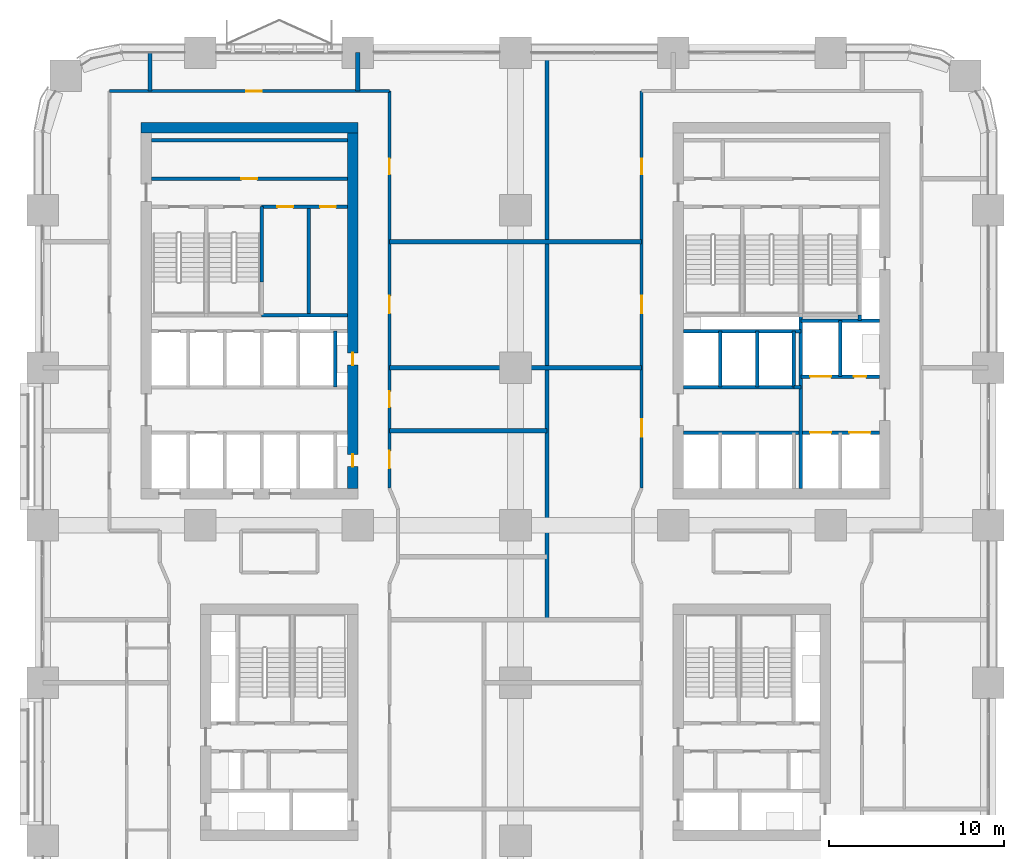
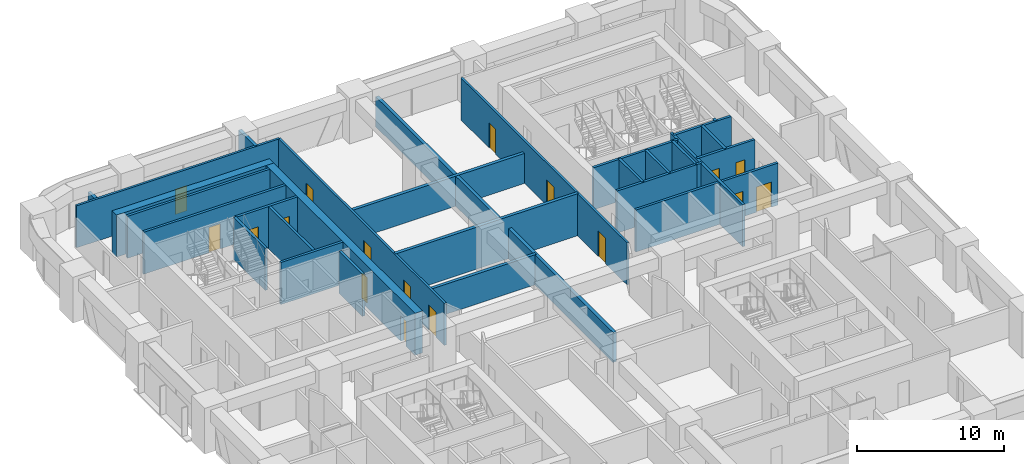
# One storey, part 18 of 23: 30 walls, 17 doors, 17 openings.
"""IFC4 building model written with IfcOpenShell, lengths in metres."""

from ifc_helpers import new_model, si_unit, direction, frame, frame_2d, origin, place, context, subcontext, project, spatial, rectangle, extrude, material, layer, layer_set, type_object, element, fill, save


model = new_model("IFC4")

# Units and contexts
model_context = context("Model", 3, precision=1e-05, world=origin(), true_north=direction((0.0, 1.0)))
body_context = subcontext(model_context, "Body", "Model", "MODEL_VIEW")
ifc_project = project(units=[si_unit("LENGTHUNIT", "METRE"), si_unit("AREAUNIT", "SQUARE_METRE"), si_unit("VOLUMEUNIT", "CUBIC_METRE"), si_unit("PLANEANGLEUNIT", "RADIAN"), si_unit("MASSUNIT", "GRAM", prefix="KILO")], contexts=[model_context])

# Site, building, storey
site_placement = place(None, origin())
site = spatial("IfcSite", under=ifc_project, at=site_placement, CompositionType="ELEMENT")
building_placement = place(site_placement, origin())
building = spatial("IfcBuilding", under=site, at=building_placement, Name="Tessera Arch", CompositionType="ELEMENT")
storey_placement = place(building_placement, frame((0.0, 0.0, 57.60009765625)))
storey = spatial("IfcBuildingStorey", under=building, at=storey_placement, Name="L12", CompositionType="ELEMENT", Elevation=57.60009765625)

# Walls
ifc_material_1 = material(Name="Gypsum board on steel stud", Category="steel")
ifc_layer_1 = layer(ifc_material_1, 0.125)
ifc_layer_set_1 = layer_set([ifc_layer_1], Name="Core partition 125 EI 60")
wall_type_1 = type_object("IfcWallType", Name="Core partition 125 EI 60", PredefinedType="PARTITIONING", material=ifc_layer_set_1)
wall_1_placement = place(storey_placement, frame((42.89990234375, 34.89990234375, 0.0), z_axis=(0.0, 0.0, 1.0), x_axis=(1.0, 0.0, 0.0)))
element("IfcWall", 1, at=wall_1_placement, inside=storey, type_object=wall_type_1, Name="L12 C1 partition wall 19", PredefinedType="PARTITIONING", context=body_context, shape_type="SweptSolid", body=[
    extrude(rectangle(XDim=0.400146484375, YDim=0.199951171875, at=frame_2d((0.2001953125, 0.0))), origin(), (0.0, 0.0, 1.0), 3.5),
])
wall_2_placement = place(storey_placement, frame((15.195068359375, 39.0, 0.0), z_axis=(0.0, 0.0, 1.0), x_axis=(0.0, 1.0, 0.0)))
element("IfcWall", 2, at=wall_2_placement, inside=storey, type_object=wall_type_1, Name="L12 C2 partition wall 13", PredefinedType="PARTITIONING", context=body_context, shape_type="SweptSolid", body=[
    extrude(rectangle(XDim=6.199951171875, YDim=0.199951171875, at=frame_2d((3.10009765625, 0.0))), origin(), (0.0, 0.0, 1.0), 3.5),
])

# Wall, openings, doors
wall_3_placement = place(storey_placement, frame((12.5, 45.199951171875, 0.0), z_axis=(0.0, 0.0, 1.0), x_axis=(1.0, 0.0, 0.0)))
wall_3 = element("IfcWall", 3, at=wall_3_placement, inside=storey, type_object=wall_type_1, Name="L12 C2 partition wall 23", PredefinedType="PARTITIONING", context=body_context, shape_type="SweptSolid", body=[
    extrude(rectangle(XDim=4.89990234375, YDim=0.199951171875, at=frame_2d((2.449951171875, 0.0))), origin(), (0.0, 0.0, 1.0), 3.5),
])
opening_1_placement = place(wall_3_placement, frame((0.8974609375, 0.0, 0.0)))
opening_1 = element("IfcOpeningElement", 4, at=opening_1_placement, cuts=wall_3, Name="Opening L12-C29", PredefinedType="OPENING", context=body_context, shape_type="SweptSolid", body=[
    extrude(rectangle(XDim=0.89990234375, YDim=2.10009765625, at=frame_2d((0.449951171875, 1.050048828125))), frame((0.0, 0.10986328125, 0.0), z_axis=(0.0, -1.0, 0.0), x_axis=(1.0, 0.0, 0.0)), (0.0, 0.0, 1.0), 0.219970703125),
])
opening_2_placement = place(wall_3_placement, frame((3.347412109375, 0.0, 0.0)))
opening_2 = element("IfcOpeningElement", 5, at=opening_2_placement, cuts=wall_3, Name="Opening L12-C30", PredefinedType="OPENING", context=body_context, shape_type="SweptSolid", body=[
    extrude(rectangle(XDim=0.89990234375, YDim=2.10009765625, at=frame_2d((0.449951171875, 1.050048828125))), frame((0.0, 0.10986328125, 0.0), z_axis=(0.0, -1.0, 0.0), x_axis=(1.0, 0.0, 0.0)), (0.0, 0.0, 1.0), 0.219970703125),
])
ifc_material_2 = material(Name="Steel door leaf", Category="steel")
door_type_1 = type_object("IfcDoorType", Name="Store door FD30S 900 x 2100", OperationType="SINGLE_SWING_LEFT", PredefinedType="DOOR", material=ifc_material_2)
door_1_placement = place(opening_1_placement, origin())
door_1 = element("IfcDoor", 6, at=door_1_placement, inside=storey, type_object=door_type_1, Name="L12 C2 door 16 C29 type D09", OperationType="SINGLE_SWING_LEFT", OverallHeight=2.10009765625, OverallWidth=0.89990234375, PredefinedType="DOOR", context=body_context, shape_type="SweptSolid", body=[
    extrude(rectangle(XDim=0.89990234375, YDim=2.10009765625, at=frame_2d((0.449951171875, 1.050048828125))), frame((0.0, 0.02490234375, 0.0), z_axis=(0.0, -1.0, 0.0), x_axis=(1.0, 0.0, 0.0)), (0.0, 0.0, 1.0), 0.050048828125),
])
fill(opening_1, door_1)
door_2_placement = place(opening_2_placement, origin())
door_2 = element("IfcDoor", 7, at=door_2_placement, inside=storey, type_object=door_type_1, Name="L12 C2 door 17 C30 type D09", OperationType="SINGLE_SWING_RIGHT", OverallHeight=2.10009765625, OverallWidth=0.89990234375, PredefinedType="DOOR", context=body_context, shape_type="SweptSolid", body=[
    extrude(rectangle(XDim=0.89990234375, YDim=2.10009765625, at=frame_2d((0.449951171875, 1.050048828125))), frame((0.0, 0.02490234375, 0.0), z_axis=(0.0, -1.0, 0.0), x_axis=(1.0, 0.0, 0.0)), (0.0, 0.0, 1.0), 0.050048828125),
])
fill(opening_2, door_2)

# Wall, opening, door
wall_4_placement = place(storey_placement, frame((6.199951171875, 46.800048828125, 0.0), z_axis=(0.0, 0.0, 1.0), x_axis=(1.0, 0.0, 0.0)))
wall_4 = element("IfcWall", 8, at=wall_4_placement, inside=storey, type_object=wall_type_1, Name="L12 C2 partition wall 25", PredefinedType="PARTITIONING", context=body_context, shape_type="SweptSolid", body=[
    extrude(rectangle(XDim=11.199951171875, YDim=0.199951171875, at=frame_2d((5.60009765625, 0.0))), origin(), (0.0, 0.0, 1.0), 3.5),
])
opening_3_placement = place(wall_4_placement, frame((5.14990234375, 0.0, 0.0)))
opening_3 = element("IfcOpeningElement", 9, at=opening_3_placement, cuts=wall_4, Name="Opening L12-C28", PredefinedType="OPENING", context=body_context, shape_type="SweptSolid", body=[
    extrude(rectangle(XDim=0.89990234375, YDim=2.10009765625, at=frame_2d((0.449951171875, 1.050048828125))), frame((0.0, 0.10986328125, 0.0), z_axis=(0.0, -1.0, 0.0), x_axis=(1.0, 0.0, 0.0)), (0.0, 0.0, 1.0), 0.219970703125),
])
door_3_placement = place(opening_3_placement, origin())
door_3 = element("IfcDoor", 10, at=door_3_placement, inside=storey, type_object=door_type_1, Name="L12 C2 door 15 C28 type D09", OperationType="SINGLE_SWING_RIGHT", OverallHeight=2.10009765625, OverallWidth=0.89990234375, PredefinedType="DOOR", context=body_context, shape_type="SweptSolid", body=[
    extrude(rectangle(XDim=0.89990234375, YDim=2.10009765625, at=frame_2d((0.449951171875, 1.050048828125))), frame((0.0, 0.02490234375, 0.0), z_axis=(0.0, -1.0, 0.0), x_axis=(1.0, 0.0, 0.0)), (0.0, 0.0, 1.0), 0.050048828125),
])
fill(opening_3, door_3)

# Walls
wall_5_placement = place(storey_placement, frame((6.199951171875, 49.0, 0.0), z_axis=(0.0, 0.0, 1.0), x_axis=(1.0, 0.0, 0.0)))
element("IfcWall", 11, at=wall_5_placement, inside=storey, type_object=wall_type_1, Name="L12 C2 partition wall 26", PredefinedType="PARTITIONING", context=body_context, shape_type="SweptSolid", body=[
    extrude(rectangle(XDim=11.199951171875, YDim=0.199951171875, at=frame_2d((5.60009765625, 0.0))), origin(), (0.0, 0.0, 1.0), 3.5),
])
ifc_material_3 = material(Name="Concrete C70/85", Category="concrete")
ifc_layer_2 = layer(ifc_material_3, 0.60009765625)
ifc_layer_set_2 = layer_set([ifc_layer_2], Name="Core shell wall 600 C70-85")
wall_type_2 = type_object("IfcWallType", Name="Core shell wall 600 C70-85", PredefinedType="SHEAR", material=ifc_layer_set_2)
wall_6_placement = place(storey_placement, frame((5.60009765625, 49.699951171875, 0.0), z_axis=(0.0, 0.0, 1.0), x_axis=(1.0, 0.0, 0.0)))
element("IfcWall", 12, at=wall_6_placement, inside=storey, type_object=wall_type_2, Name="L12 C2 core wall N", PredefinedType="SHEAR", context=body_context, shape_type="SweptSolid", body=[
    extrude(rectangle(XDim=12.39990234375, YDim=0.60009765625, at=frame_2d((6.199951171875, 0.0))), origin(), (0.0, 0.0, 1.0), 3.5),
])

# Wall, openings, doors
wall_7_placement = place(storey_placement, frame((17.699951171875, 29.10009765625, 0.0), z_axis=(0.0, 0.0, 1.0), x_axis=(0.0, 1.0, 0.0)))
wall_7 = element("IfcWall", 13, at=wall_7_placement, inside=storey, type_object=wall_type_2, Name="L12 C2 core wall E", PredefinedType="SHEAR", context=body_context, shape_type="SweptSolid", body=[
    extrude(rectangle(XDim=20.2998046875, YDim=0.60009765625, at=frame_2d((10.14990234375, 0.0))), origin(), (0.0, 0.0, 1.0), 3.5),
])
opening_4_placement = place(wall_7_placement, frame((1.25, 0.0, 0.0)))
opening_4 = element("IfcOpeningElement", 14, at=opening_4_placement, cuts=wall_7, Name="Opening L12-C22", PredefinedType="OPENING", context=body_context, shape_type="SweptSolid", body=[
    extrude(rectangle(XDim=0.699951171875, YDim=2.10009765625, at=frame_2d((0.35009765625, 1.050048828125))), frame((0.0, 0.31005859375, 0.0), z_axis=(0.0, -1.0, 0.0), x_axis=(1.0, 0.0, 0.0)), (0.0, 0.0, 1.0), 0.6201171875),
])
opening_5_placement = place(wall_7_placement, frame((7.050048828125, 0.0, 0.0)))
opening_5 = element("IfcOpeningElement", 15, at=opening_5_placement, cuts=wall_7, Name="Opening L12-C23", PredefinedType="OPENING", context=body_context, shape_type="SweptSolid", body=[
    extrude(rectangle(XDim=0.699951171875, YDim=2.10009765625, at=frame_2d((0.35009765625, 1.050048828125))), frame((0.0, 0.31005859375, 0.0), z_axis=(0.0, -1.0, 0.0), x_axis=(1.0, 0.0, 0.0)), (0.0, 0.0, 1.0), 0.6201171875),
])
ifc_material_4 = material(Name="Steel door leaf", Category="steel")
door_type_2 = type_object("IfcDoorType", Name="Service shaft door FD60 700 x 2100", OperationType="SINGLE_SWING_LEFT", PredefinedType="DOOR", material=ifc_material_4)
door_4_placement = place(opening_4_placement, origin())
door_4 = element("IfcDoor", 16, at=door_4_placement, inside=storey, type_object=door_type_2, Name="L12 C2 door 9 C22 type D07", OperationType="SINGLE_SWING_LEFT", OverallHeight=2.10009765625, OverallWidth=0.699951171875, PredefinedType="DOOR", context=body_context, shape_type="SweptSolid", body=[
    extrude(rectangle(XDim=0.699951171875, YDim=2.10009765625, at=frame_2d((0.35009765625, 1.050048828125))), frame((0.0, 0.02490234375, 0.0), z_axis=(0.0, -1.0, 0.0), x_axis=(1.0, 0.0, 0.0)), (0.0, 0.0, 1.0), 0.050048828125),
])
fill(opening_4, door_4)
door_5_placement = place(opening_5_placement, origin())
door_5 = element("IfcDoor", 17, at=door_5_placement, inside=storey, type_object=door_type_2, Name="L12 C2 door 10 C23 type D07", OperationType="SINGLE_SWING_LEFT", OverallHeight=2.10009765625, OverallWidth=0.699951171875, PredefinedType="DOOR", context=body_context, shape_type="SweptSolid", body=[
    extrude(rectangle(XDim=0.699951171875, YDim=2.10009765625, at=frame_2d((0.35009765625, 1.050048828125))), frame((0.0, 0.02490234375, 0.0), z_axis=(0.0, -1.0, 0.0), x_axis=(1.0, 0.0, 0.0)), (0.0, 0.0, 1.0), 0.050048828125),
])
fill(opening_5, door_5)

# Wall, opening, door
ifc_material_5 = material(Name="Gypsum board on deep steel stud with mineral wool", Category="steel")
ifc_layer_3 = layer(ifc_material_5, 0.175048828125)
ifc_layer_set_3 = layer_set([ifc_layer_3], Name="Corridor wall 175 EI 60")
wall_type_3 = type_object("IfcWallType", Name="Corridor wall 175 EI 60", PredefinedType="PARTITIONING", material=ifc_layer_set_3)
wall_8_placement = place(storey_placement, frame((3.800048828125, 51.800048828125, 0.0), z_axis=(0.0, 0.0, 1.0), x_axis=(1.0, 0.0, 0.0)))
wall_8 = element("IfcWall", 18, at=wall_8_placement, inside=storey, type_object=wall_type_3, Name="L12 partition 9", PredefinedType="PARTITIONING", context=body_context, shape_type="SweptSolid", body=[
    extrude(rectangle(XDim=16.0, YDim=0.175048828125, at=frame_2d((8.0, 0.0))), origin(), (0.0, 0.0, 1.0), 3.5),
])
opening_6_placement = place(wall_8_placement, frame((7.811279296875, 0.0, 0.0)))
opening_6 = element("IfcOpeningElement", 19, at=opening_6_placement, cuts=wall_8, Name="Opening L12-D045", PredefinedType="OPENING", context=body_context, shape_type="SweptSolid", body=[
    extrude(rectangle(XDim=0.89990234375, YDim=2.10009765625, at=frame_2d((0.449951171875, 1.050048828125))), frame((0.0, 0.097412109375, 0.0), z_axis=(0.0, -1.0, 0.0), x_axis=(1.0, 0.0, 0.0)), (0.0, 0.0, 1.0), 0.195068359375),
])
ifc_material_6 = material(Name="Timber door leaf", Category="wood")
door_type_3 = type_object("IfcDoorType", Name="Room door 900 x 2100", OperationType="SINGLE_SWING_LEFT", PredefinedType="DOOR", material=ifc_material_6)
door_6_placement = place(opening_6_placement, origin())
door_6 = element("IfcDoor", 20, at=door_6_placement, inside=storey, type_object=door_type_3, Name="L12 door D045 type D01", OperationType="SINGLE_SWING_RIGHT", OverallHeight=2.10009765625, OverallWidth=0.89990234375, PredefinedType="DOOR", context=body_context, shape_type="SweptSolid", body=[
    extrude(rectangle(XDim=0.89990234375, YDim=2.10009765625, at=frame_2d((0.449951171875, 1.050048828125))), frame((0.0, 0.02490234375, 0.0), z_axis=(0.0, -1.0, 0.0), x_axis=(1.0, 0.0, 0.0)), (0.0, 0.0, 1.0), 0.050048828125),
])
fill(opening_6, door_6)

# Wall, openings, doors
wall_9_placement = place(storey_placement, frame((19.800048828125, 29.1201171875, 0.0), z_axis=(0.0, 0.0, 1.0), x_axis=(0.0, 1.0, 0.0)))
wall_9 = element("IfcWall", 21, at=wall_9_placement, inside=storey, type_object=wall_type_3, Name="L12 partition 17", PredefinedType="PARTITIONING", context=body_context, shape_type="SweptSolid", body=[
    extrude(rectangle(XDim=22.679931640625, YDim=0.175048828125, at=frame_2d((11.33984375, 0.0))), origin(), (0.0, 0.0, 1.0), 3.5),
])
opening_7_placement = place(wall_9_placement, frame((1.139892578125, 0.0, 0.0)))
opening_7 = element("IfcOpeningElement", 22, at=opening_7_placement, cuts=wall_9, Name="Opening L12-D033", PredefinedType="OPENING", context=body_context, shape_type="SweptSolid", body=[
    extrude(rectangle(XDim=1.0, YDim=2.10009765625, at=frame_2d((0.5, 1.050048828125))), frame((0.0, 0.097412109375, 0.0), z_axis=(0.0, -1.0, 0.0), x_axis=(1.0, 0.0, 0.0)), (0.0, 0.0, 1.0), 0.195068359375),
])
opening_8_placement = place(wall_9_placement, frame((4.6298828125, 0.0, 0.0)))
opening_8 = element("IfcOpeningElement", 23, at=opening_8_placement, cuts=wall_9, Name="Opening L12-D036", PredefinedType="OPENING", context=body_context, shape_type="SweptSolid", body=[
    extrude(rectangle(XDim=0.89990234375, YDim=2.10009765625, at=frame_2d((0.449951171875, 1.050048828125))), frame((0.0, 0.097412109375, 0.0), z_axis=(0.0, -1.0, 0.0), x_axis=(1.0, 0.0, 0.0)), (0.0, 0.0, 1.0), 0.195068359375),
])
opening_9_placement = place(wall_9_placement, frame((9.97998046875, 0.0, 0.0)))
opening_9 = element("IfcOpeningElement", 24, at=opening_9_placement, cuts=wall_9, Name="Opening L12-D038", PredefinedType="OPENING", context=body_context, shape_type="SweptSolid", body=[
    extrude(rectangle(XDim=1.0, YDim=2.10009765625, at=frame_2d((0.5, 1.050048828125))), frame((0.0, 0.097412109375, 0.0), z_axis=(0.0, -1.0, 0.0), x_axis=(1.0, 0.0, 0.0)), (0.0, 0.0, 1.0), 0.195068359375),
])
opening_10_placement = place(wall_9_placement, frame((17.929931640625, 0.0, 0.0)))
opening_10 = element("IfcOpeningElement", 25, at=opening_10_placement, cuts=wall_9, Name="Opening L12-D042", PredefinedType="OPENING", context=body_context, shape_type="SweptSolid", body=[
    extrude(rectangle(XDim=0.89990234375, YDim=2.10009765625, at=frame_2d((0.449951171875, 1.050048828125))), frame((0.0, 0.097412109375, 0.0), z_axis=(0.0, -1.0, 0.0), x_axis=(1.0, 0.0, 0.0)), (0.0, 0.0, 1.0), 0.195068359375),
])
ifc_material_7 = material(Name="Fire-rated door leaf")
door_type_4 = type_object("IfcDoorType", Name="Entrance door FD30S 1000 x 2100", OperationType="SINGLE_SWING_LEFT", PredefinedType="DOOR", material=ifc_material_7)
door_7_placement = place(opening_7_placement, origin())
door_7 = element("IfcDoor", 26, at=door_7_placement, inside=storey, type_object=door_type_4, Name="L12 door D033 type D03", OperationType="SINGLE_SWING_LEFT", OverallHeight=2.10009765625, OverallWidth=1.0, PredefinedType="DOOR", context=body_context, shape_type="SweptSolid", body=[
    extrude(rectangle(XDim=1.0, YDim=2.10009765625, at=frame_2d((0.5, 1.050048828125))), frame((0.0, 0.02490234375, 0.0), z_axis=(0.0, -1.0, 0.0), x_axis=(1.0, 0.0, 0.0)), (0.0, 0.0, 1.0), 0.050048828125),
])
fill(opening_7, door_7)
door_8_placement = place(opening_9_placement, origin())
door_8 = element("IfcDoor", 27, at=door_8_placement, inside=storey, type_object=door_type_4, Name="L12 door D038 type D03", OperationType="SINGLE_SWING_RIGHT", OverallHeight=2.10009765625, OverallWidth=1.0, PredefinedType="DOOR", context=body_context, shape_type="SweptSolid", body=[
    extrude(rectangle(XDim=1.0, YDim=2.10009765625, at=frame_2d((0.5, 1.050048828125))), frame((0.0, 0.02490234375, 0.0), z_axis=(0.0, -1.0, 0.0), x_axis=(1.0, 0.0, 0.0)), (0.0, 0.0, 1.0), 0.050048828125),
])
fill(opening_9, door_8)
door_9_placement = place(opening_8_placement, origin())
door_9 = element("IfcDoor", 28, at=door_9_placement, inside=storey, type_object=door_type_3, Name="L12 door D036 type D01", OperationType="SINGLE_SWING_RIGHT", OverallHeight=2.10009765625, OverallWidth=0.89990234375, PredefinedType="DOOR", context=body_context, shape_type="SweptSolid", body=[
    extrude(rectangle(XDim=0.89990234375, YDim=2.10009765625, at=frame_2d((0.449951171875, 1.050048828125))), frame((0.0, 0.02490234375, 0.0), z_axis=(0.0, -1.0, 0.0), x_axis=(1.0, 0.0, 0.0)), (0.0, 0.0, 1.0), 0.050048828125),
])
fill(opening_8, door_9)
door_10_placement = place(opening_10_placement, origin())
door_10 = element("IfcDoor", 29, at=door_10_placement, inside=storey, type_object=door_type_3, Name="L12 door D042 type D01", OperationType="SINGLE_SWING_RIGHT", OverallHeight=2.10009765625, OverallWidth=0.89990234375, PredefinedType="DOOR", context=body_context, shape_type="SweptSolid", body=[
    extrude(rectangle(XDim=0.89990234375, YDim=2.10009765625, at=frame_2d((0.449951171875, 1.050048828125))), frame((0.0, 0.02490234375, 0.0), z_axis=(0.0, -1.0, 0.0), x_axis=(1.0, 0.0, 0.0)), (0.0, 0.0, 1.0), 0.050048828125),
])
fill(opening_10, door_10)

wall_10_placement = place(storey_placement, frame((34.199951171875, 29.1201171875, 0.0), z_axis=(0.0, 0.0, 1.0), x_axis=(0.0, 1.0, 0.0)))
wall_10 = element("IfcWall", 30, at=wall_10_placement, inside=storey, type_object=wall_type_3, Name="L12 partition 21", PredefinedType="PARTITIONING", context=body_context, shape_type="SweptSolid", body=[
    extrude(rectangle(XDim=22.679931640625, YDim=0.175048828125, at=frame_2d((11.33984375, 0.0))), origin(), (0.0, 0.0, 1.0), 3.5),
])
opening_11_placement = place(wall_10_placement, frame((2.93994140625, 0.0, 0.0)))
opening_11 = element("IfcOpeningElement", 31, at=opening_11_placement, cuts=wall_10, Name="Opening L12-D034", PredefinedType="OPENING", context=body_context, shape_type="SweptSolid", body=[
    extrude(rectangle(XDim=1.0, YDim=2.10009765625, at=frame_2d((0.5, 1.050048828125))), frame((0.0, 0.097412109375, 0.0), z_axis=(0.0, -1.0, 0.0), x_axis=(1.0, 0.0, 0.0)), (0.0, 0.0, 1.0), 0.195068359375),
])
opening_12_placement = place(wall_10_placement, frame((9.97998046875, 0.0, 0.0)))
opening_12 = element("IfcOpeningElement", 32, at=opening_12_placement, cuts=wall_10, Name="Opening L12-D039", PredefinedType="OPENING", context=body_context, shape_type="SweptSolid", body=[
    extrude(rectangle(XDim=1.0, YDim=2.10009765625, at=frame_2d((0.5, 1.050048828125))), frame((0.0, 0.097412109375, 0.0), z_axis=(0.0, -1.0, 0.0), x_axis=(1.0, 0.0, 0.0)), (0.0, 0.0, 1.0), 0.195068359375),
])
opening_13_placement = place(wall_10_placement, frame((17.929931640625, 0.0, 0.0)))
opening_13 = element("IfcOpeningElement", 33, at=opening_13_placement, cuts=wall_10, Name="Opening L12-D043", PredefinedType="OPENING", context=body_context, shape_type="SweptSolid", body=[
    extrude(rectangle(XDim=0.89990234375, YDim=2.10009765625, at=frame_2d((0.449951171875, 1.050048828125))), frame((0.0, 0.097412109375, 0.0), z_axis=(0.0, -1.0, 0.0), x_axis=(1.0, 0.0, 0.0)), (0.0, 0.0, 1.0), 0.195068359375),
])
door_11_placement = place(opening_11_placement, origin())
door_11 = element("IfcDoor", 34, at=door_11_placement, inside=storey, type_object=door_type_4, Name="L12 door D034 type D03", OperationType="SINGLE_SWING_LEFT", OverallHeight=2.10009765625, OverallWidth=1.0, PredefinedType="DOOR", context=body_context, shape_type="SweptSolid", body=[
    extrude(rectangle(XDim=1.0, YDim=2.10009765625, at=frame_2d((0.5, 1.050048828125))), frame((0.0, 0.02490234375, 0.0), z_axis=(0.0, -1.0, 0.0), x_axis=(1.0, 0.0, 0.0)), (0.0, 0.0, 1.0), 0.050048828125),
])
fill(opening_11, door_11)
door_12_placement = place(opening_12_placement, origin())
door_12 = element("IfcDoor", 35, at=door_12_placement, inside=storey, type_object=door_type_4, Name="L12 door D039 type D03", OperationType="SINGLE_SWING_RIGHT", OverallHeight=2.10009765625, OverallWidth=1.0, PredefinedType="DOOR", context=body_context, shape_type="SweptSolid", body=[
    extrude(rectangle(XDim=1.0, YDim=2.10009765625, at=frame_2d((0.5, 1.050048828125))), frame((0.0, 0.02490234375, 0.0), z_axis=(0.0, -1.0, 0.0), x_axis=(1.0, 0.0, 0.0)), (0.0, 0.0, 1.0), 0.050048828125),
])
fill(opening_12, door_12)
door_13_placement = place(opening_13_placement, origin())
door_13 = element("IfcDoor", 36, at=door_13_placement, inside=storey, type_object=door_type_3, Name="L12 door D043 type D01", OperationType="SINGLE_SWING_RIGHT", OverallHeight=2.10009765625, OverallWidth=0.89990234375, PredefinedType="DOOR", context=body_context, shape_type="SweptSolid", body=[
    extrude(rectangle(XDim=0.89990234375, YDim=2.10009765625, at=frame_2d((0.449951171875, 1.050048828125))), frame((0.0, 0.02490234375, 0.0), z_axis=(0.0, -1.0, 0.0), x_axis=(1.0, 0.0, 0.0)), (0.0, 0.0, 1.0), 0.050048828125),
])
fill(opening_13, door_13)

# Walls
ifc_material_8 = material(Name="Double gypsum board on twin steel stud with acoustic mineral wool", Category="steel")
ifc_layer_4 = layer(ifc_material_8, 0.25)
ifc_layer_set_4 = layer_set([ifc_layer_4], Name="Party wall 250 EI 60")
wall_type_4 = type_object("IfcWallType", Name="Party wall 250 EI 60", PredefinedType="PARTITIONING", material=ifc_layer_set_4)
wall_11_placement = place(storey_placement, frame((19.800048828125, 32.39990234375, 0.0), z_axis=(0.0, 0.0, 1.0), x_axis=(1.0, 0.0, 0.0)))
element("IfcWall", 37, at=wall_11_placement, inside=storey, type_object=wall_type_4, Name="L12 partition 44", PredefinedType="PARTITIONING", context=body_context, shape_type="SweptSolid", body=[
    extrude(rectangle(XDim=9.0, YDim=0.25, at=frame_2d((4.5, 0.0))), origin(), (0.0, 0.0, 1.0), 2.5),
])
wall_12_placement = place(storey_placement, frame((19.800048828125, 36.0, 0.0), z_axis=(0.0, 0.0, 1.0), x_axis=(1.0, 0.0, 0.0)))
element("IfcWall", 38, at=wall_12_placement, inside=storey, type_object=wall_type_4, Name="L12 partition 46", PredefinedType="PARTITIONING", context=body_context, shape_type="SweptSolid", body=[
    extrude(rectangle(XDim=14.39990234375, YDim=0.25, at=frame_2d((7.199951171875, 0.0))), origin(), (0.0, 0.0, 1.0), 3.5),
])
wall_13_placement = place(storey_placement, frame((19.800048828125, 43.199951171875, 0.0), z_axis=(0.0, 0.0, 1.0), x_axis=(1.0, 0.0, 0.0)))
element("IfcWall", 39, at=wall_13_placement, inside=storey, type_object=wall_type_4, Name="L12 partition 49", PredefinedType="PARTITIONING", context=body_context, shape_type="SweptSolid", body=[
    extrude(rectangle(XDim=14.39990234375, YDim=0.25, at=frame_2d((7.199951171875, 0.0))), origin(), (0.0, 0.0, 1.0), 2.5),
])
wall_14_placement = place(storey_placement, frame((6.123046875, 51.800048828125, 0.0), z_axis=(0.0, 0.0, 1.0), x_axis=(0.0, 1.0, 0.0)))
element("IfcWall", 40, at=wall_14_placement, inside=storey, type_object=wall_type_4, Name="L12 partition 51", PredefinedType="PARTITIONING", context=body_context, shape_type="SweptSolid", body=[
    extrude(rectangle(XDim=2.199951171875, YDim=0.25, at=frame_2d((1.10009765625, 0.0))), origin(), (0.0, 0.0, 1.0), 2.5),
])
wall_15_placement = place(storey_placement, frame((18.0, 51.800048828125, 0.0), z_axis=(0.0, 0.0, 1.0), x_axis=(0.0, 1.0, 0.0)))
element("IfcWall", 41, at=wall_15_placement, inside=storey, type_object=wall_type_4, Name="L12 partition 54", PredefinedType="PARTITIONING", context=body_context, shape_type="SweptSolid", body=[
    extrude(rectangle(XDim=2.199951171875, YDim=0.25, at=frame_2d((1.10009765625, 0.0))), origin(), (0.0, 0.0, 1.0), 3.5),
])
wall_16_placement = place(storey_placement, frame((28.800048828125, 21.60009765625, 0.0), z_axis=(0.0, 0.0, 1.0), x_axis=(0.0, 1.0, 0.0)))
element("IfcWall", 42, at=wall_16_placement, inside=storey, type_object=wall_type_4, Name="L12 partition 56", PredefinedType="PARTITIONING", context=body_context, shape_type="SweptSolid", body=[
    extrude(rectangle(XDim=32.39990234375, YDim=0.25, at=frame_2d((16.199951171875, 0.0))), origin(), (0.0, 0.0, 1.0), 2.5),
])
ifc_material_9 = material(Name="Concrete C40/50", Category="concrete")
ifc_layer_5 = layer(ifc_material_9, 0.199951171875)
ifc_layer_set_5 = layer_set([ifc_layer_5], Name="Shaft wall 200 EI 120")
wall_type_5 = type_object("IfcWallType", Name="Shaft wall 200 EI 120", PredefinedType="SOLIDWALL", material=ifc_layer_set_5)
for number, where, z_axis, x_axis, name in (
    (43, (38.699951171875, 34.89990234375, 0.0), (0.0, 0.0, 1.0), (0.0, 1.0, 0.0), "L12 C1 shaft wall 2"),
    (44, (40.800048828125, 34.89990234375, 0.0), (0.0, 0.0, 1.0), (0.0, 1.0, 0.0), "L12 C1 shaft wall 7"),
    (45, (42.89990234375, 34.89990234375, 0.0), (0.0, 0.0, 1.0), (0.0, 1.0, 0.0), "L12 C1 shaft wall 9"),
):
    element("IfcWall", number, at=place(storey_placement, frame(where, z_axis=z_axis, x_axis=x_axis)), inside=storey, type_object=wall_type_5, Name=name, PredefinedType="SOLIDWALL", context=body_context, shape_type="SweptSolid", body=[
        extrude(rectangle(XDim=3.2001953125, YDim=0.199951171875, at=frame_2d((1.60009765625, 0.0))), origin(), (0.0, 0.0, 1.0), 3.5),
    ])
wall_17_placement = place(storey_placement, frame((43.300048828125, 29.10009765625, 0.0), z_axis=(0.0, 0.0, 1.0), x_axis=(0.0, 1.0, 0.0)))
element("IfcWall", 46, at=wall_17_placement, inside=storey, type_object=wall_type_5, Name="L12 C1 shaft wall 10", PredefinedType="SOLIDWALL", context=body_context, shape_type="SweptSolid", body=[
    extrude(rectangle(XDim=9.89990234375, YDim=0.199951171875, at=frame_2d((4.949951171875, 0.0))), origin(), (0.0, 0.0, 1.0), 3.5),
])
wall_18_placement = place(storey_placement, frame((45.550048828125, 35.5, 0.0), z_axis=(0.0, 0.0, 1.0), x_axis=(0.0, 1.0, 0.0)))
element("IfcWall", 47, at=wall_18_placement, inside=storey, type_object=wall_type_5, Name="L12 C1 shaft wall 14", PredefinedType="SOLIDWALL", context=body_context, shape_type="SweptSolid", body=[
    extrude(rectangle(XDim=3.199951171875, YDim=0.199951171875, at=frame_2d((1.60009765625, 0.0))), origin(), (0.0, 0.0, 1.0), 3.5),
])
wall_19_placement = place(storey_placement, frame((46.64990234375, 38.699951171875, 0.0), z_axis=(0.0, 0.0, 1.0), x_axis=(0.0, 1.0, 0.0)))
element("IfcWall", 48, at=wall_19_placement, inside=storey, type_object=wall_type_5, Name="L12 C1 shaft wall 15", PredefinedType="SOLIDWALL", context=body_context, shape_type="SweptSolid", body=[
    extrude(rectangle(XDim=0.300048828125, YDim=0.199951171875, at=frame_2d((0.14990234375, 0.0))), origin(), (0.0, 0.0, 1.0), 3.5),
])

# Wall, openings, doors
wall_20_placement = place(storey_placement, frame((36.60009765625, 32.300048828125, 0.0), z_axis=(0.0, 0.0, 1.0), x_axis=(1.0, 0.0, 0.0)))
wall_20 = element("IfcWall", 49, at=wall_20_placement, inside=storey, type_object=wall_type_5, Name="L12 C1 shaft wall 18", PredefinedType="SOLIDWALL", context=body_context, shape_type="SweptSolid", body=[
    extrude(rectangle(XDim=11.199951171875, YDim=0.199951171875, at=frame_2d((5.60009765625, 0.0))), origin(), (0.0, 0.0, 1.0), 3.5),
])
opening_14_placement = place(wall_20_placement, frame((7.22509765625, 0.0, 0.0)))
opening_14 = element("IfcOpeningElement", 50, at=opening_14_placement, cuts=wall_20, Name="Opening L12-C01", PredefinedType="OPENING", context=body_context, shape_type="SweptSolid", body=[
    extrude(rectangle(XDim=1.199951171875, YDim=2.10009765625, at=frame_2d((0.60009765625, 1.050048828125))), frame((0.0, 0.10986328125, 0.0), z_axis=(0.0, -1.0, 0.0), x_axis=(1.0, 0.0, 0.0)), (0.0, 0.0, 1.0), 0.219970703125),
])
opening_15_placement = place(wall_20_placement, frame((9.47509765625, 0.0, 0.0)))
opening_15 = element("IfcOpeningElement", 51, at=opening_15_placement, cuts=wall_20, Name="Opening L12-C02", PredefinedType="OPENING", context=body_context, shape_type="SweptSolid", body=[
    extrude(rectangle(XDim=1.199951171875, YDim=2.10009765625, at=frame_2d((0.60009765625, 1.050048828125))), frame((0.0, 0.10986328125, 0.0), z_axis=(0.0, -1.0, 0.0), x_axis=(1.0, 0.0, 0.0)), (0.0, 0.0, 1.0), 0.219970703125),
])
ifc_material_10 = material(Name="Stainless steel AISI 304", Category="steel")
door_type_5 = type_object("IfcDoorType", Name="Sliding landing door 1200 x 2100", OperationType="SLIDING_TO_LEFT", PredefinedType="DOOR", material=ifc_material_10)
door_14_placement = place(opening_14_placement, origin())
door_14 = element("IfcDoor", 52, at=door_14_placement, inside=storey, type_object=door_type_5, Name="L12 FF1 lift landing door C01 type LD", OperationType="SLIDING_TO_LEFT", OverallHeight=2.10009765625, OverallWidth=1.199951171875, PredefinedType="DOOR", context=body_context, shape_type="SweptSolid", body=[
    extrude(rectangle(XDim=1.199951171875, YDim=2.10009765625, at=frame_2d((0.60009765625, 1.050048828125))), frame((0.0, 0.02490234375, 0.0), z_axis=(0.0, -1.0, 0.0), x_axis=(1.0, 0.0, 0.0)), (0.0, 0.0, 1.0), 0.050048828125),
])
fill(opening_14, door_14)
door_15_placement = place(opening_15_placement, origin())
door_15 = element("IfcDoor", 53, at=door_15_placement, inside=storey, type_object=door_type_5, Name="L12 FF2 lift landing door C02 type LD", OperationType="SLIDING_TO_LEFT", OverallHeight=2.10009765625, OverallWidth=1.199951171875, PredefinedType="DOOR", context=body_context, shape_type="SweptSolid", body=[
    extrude(rectangle(XDim=1.199951171875, YDim=2.10009765625, at=frame_2d((0.60009765625, 1.050048828125))), frame((0.0, 0.02490234375, 0.0), z_axis=(0.0, -1.0, 0.0), x_axis=(1.0, 0.0, 0.0)), (0.0, 0.0, 1.0), 0.050048828125),
])
fill(opening_15, door_15)

# Wall
wall_21_placement = place(storey_placement, frame((36.60009765625, 34.89990234375, 0.0), z_axis=(0.0, 0.0, 1.0), x_axis=(1.0, 0.0, 0.0)))
element("IfcWall", 54, at=wall_21_placement, inside=storey, type_object=wall_type_5, Name="L12 C1 shaft wall 20", PredefinedType="SOLIDWALL", context=body_context, shape_type="SweptSolid", body=[
    extrude(rectangle(XDim=6.2998046875, YDim=0.199951171875, at=frame_2d((3.14990234375, 0.0))), origin(), (0.0, 0.0, 1.0), 3.5),
])

# Wall, openings, doors
wall_22_placement = place(storey_placement, frame((43.300048828125, 35.5, 0.0), z_axis=(0.0, 0.0, 1.0), x_axis=(1.0, 0.0, 0.0)))
wall_22 = element("IfcWall", 55, at=wall_22_placement, inside=storey, type_object=wall_type_5, Name="L12 C1 shaft wall 21", PredefinedType="SOLIDWALL", context=body_context, shape_type="SweptSolid", body=[
    extrude(rectangle(XDim=4.5, YDim=0.199951171875, at=frame_2d((2.25, 0.0))), origin(), (0.0, 0.0, 1.0), 3.5),
])
opening_16_placement = place(wall_22_placement, frame((0.52490234375, 0.0, 0.0)))
opening_16 = element("IfcOpeningElement", 56, at=opening_16_placement, cuts=wall_22, Name="Opening L12-C03", PredefinedType="OPENING", context=body_context, shape_type="SweptSolid", body=[
    extrude(rectangle(XDim=1.199951171875, YDim=2.10009765625, at=frame_2d((0.60009765625, 1.050048828125))), frame((0.0, 0.10986328125, 0.0), z_axis=(0.0, -1.0, 0.0), x_axis=(1.0, 0.0, 0.0)), (0.0, 0.0, 1.0), 0.219970703125),
])
opening_17_placement = place(wall_22_placement, frame((3.02490234375, 0.0, 0.0)))
opening_17 = element("IfcOpeningElement", 57, at=opening_17_placement, cuts=wall_22, Name="Opening L12-C10", PredefinedType="OPENING", context=body_context, shape_type="SweptSolid", body=[
    extrude(rectangle(XDim=0.699951171875, YDim=2.10009765625, at=frame_2d((0.35009765625, 1.050048828125))), frame((0.0, 0.10986328125, 0.0), z_axis=(0.0, -1.0, 0.0), x_axis=(1.0, 0.0, 0.0)), (0.0, 0.0, 1.0), 0.219970703125),
])
door_16_placement = place(opening_17_placement, origin())
door_16 = element("IfcDoor", 58, at=door_16_placement, inside=storey, type_object=door_type_2, Name="L12 C1 door 10 C10 type D07", OperationType="SINGLE_SWING_RIGHT", OverallHeight=2.10009765625, OverallWidth=0.699951171875, PredefinedType="DOOR", context=body_context, shape_type="SweptSolid", body=[
    extrude(rectangle(XDim=0.699951171875, YDim=2.10009765625, at=frame_2d((0.35009765625, 1.050048828125))), frame((0.0, 0.02490234375, 0.0), z_axis=(0.0, -1.0, 0.0), x_axis=(1.0, 0.0, 0.0)), (0.0, 0.0, 1.0), 0.050048828125),
])
fill(opening_17, door_16)
door_17_placement = place(opening_16_placement, origin())
door_17 = element("IfcDoor", 59, at=door_17_placement, inside=storey, type_object=door_type_5, Name="L12 SV2 lift landing door C03 type LD", OperationType="SLIDING_TO_LEFT", OverallHeight=2.10009765625, OverallWidth=1.199951171875, PredefinedType="DOOR", context=body_context, shape_type="SweptSolid", body=[
    extrude(rectangle(XDim=1.199951171875, YDim=2.10009765625, at=frame_2d((0.60009765625, 1.050048828125))), frame((0.0, 0.02490234375, 0.0), z_axis=(0.0, -1.0, 0.0), x_axis=(1.0, 0.0, 0.0)), (0.0, 0.0, 1.0), 0.050048828125),
])
fill(opening_16, door_17)

# Walls
wall_23_placement = place(storey_placement, frame((36.60009765625, 38.10009765625, 0.0), z_axis=(0.0, 0.0, 1.0), x_axis=(1.0, 0.0, 0.0)))
element("IfcWall", 60, at=wall_23_placement, inside=storey, type_object=wall_type_5, Name="L12 C1 shaft wall 22", PredefinedType="SOLIDWALL", context=body_context, shape_type="SweptSolid", body=[
    extrude(rectangle(XDim=6.699951171875, YDim=0.199951171875, at=frame_2d((3.35009765625, 0.0))), origin(), (0.0, 0.0, 1.0), 3.5),
])
wall_24_placement = place(storey_placement, frame((43.300048828125, 38.699951171875, 0.0), z_axis=(0.0, 0.0, 1.0), x_axis=(1.0, 0.0, 0.0)))
element("IfcWall", 61, at=wall_24_placement, inside=storey, type_object=wall_type_5, Name="L12 C1 shaft wall 23", PredefinedType="SOLIDWALL", context=body_context, shape_type="SweptSolid", body=[
    extrude(rectangle(XDim=4.5, YDim=0.199951171875, at=frame_2d((2.25, 0.0))), origin(), (0.0, 0.0, 1.0), 3.5),
])
wall_25_placement = place(storey_placement, frame((16.699951171875, 34.89990234375, 0.0), z_axis=(0.0, 0.0, 1.0), x_axis=(0.0, 1.0, 0.0)))
element("IfcWall", 62, at=wall_25_placement, inside=storey, type_object=wall_type_5, Name="L12 C2 shaft wall 15", PredefinedType="SOLIDWALL", context=body_context, shape_type="SweptSolid", body=[
    extrude(rectangle(XDim=3.2001953125, YDim=0.199951171875, at=frame_2d((1.60009765625, 0.0))), origin(), (0.0, 0.0, 1.0), 3.5),
])
wall_26_placement = place(storey_placement, frame((12.5, 39.0, 0.0), z_axis=(0.0, 0.0, 1.0), x_axis=(1.0, 0.0, 0.0)))
element("IfcWall", 63, at=wall_26_placement, inside=storey, type_object=wall_type_5, Name="L12 C2 shaft wall 19", PredefinedType="SOLIDWALL", context=body_context, shape_type="SweptSolid", body=[
    extrude(rectangle(XDim=4.89990234375, YDim=0.199951171875, at=frame_2d((2.449951171875, 0.0))), origin(), (0.0, 0.0, 1.0), 3.5),
])
ifc_material_11 = material(Name="Concrete C40/50", Category="concrete")
ifc_layer_6 = layer(ifc_material_11, 0.199951171875)
ifc_layer_set_6 = layer_set([ifc_layer_6], Name="Stair well wall 200 REI 180")
wall_type_6 = type_object("IfcWallType", Name="Stair well wall 200 REI 180", PredefinedType="SOLIDWALL", material=ifc_layer_set_6)
wall_27_placement = place(storey_placement, frame((12.5, 40.89990234375, 0.0), z_axis=(0.0, 0.0, 1.0), x_axis=(0.0, 1.0, 0.0)))
element("IfcWall", 64, at=wall_27_placement, inside=storey, type_object=wall_type_6, Name="L12 C2 shaft wall 10", PredefinedType="SOLIDWALL", context=body_context, shape_type="SweptSolid", body=[
    extrude(rectangle(XDim=4.300048828125, YDim=0.199951171875, at=frame_2d((2.14990234375, 0.0))), origin(), (0.0, 0.0, 1.0), 3.5),
])

save(model, "model.ifc")
